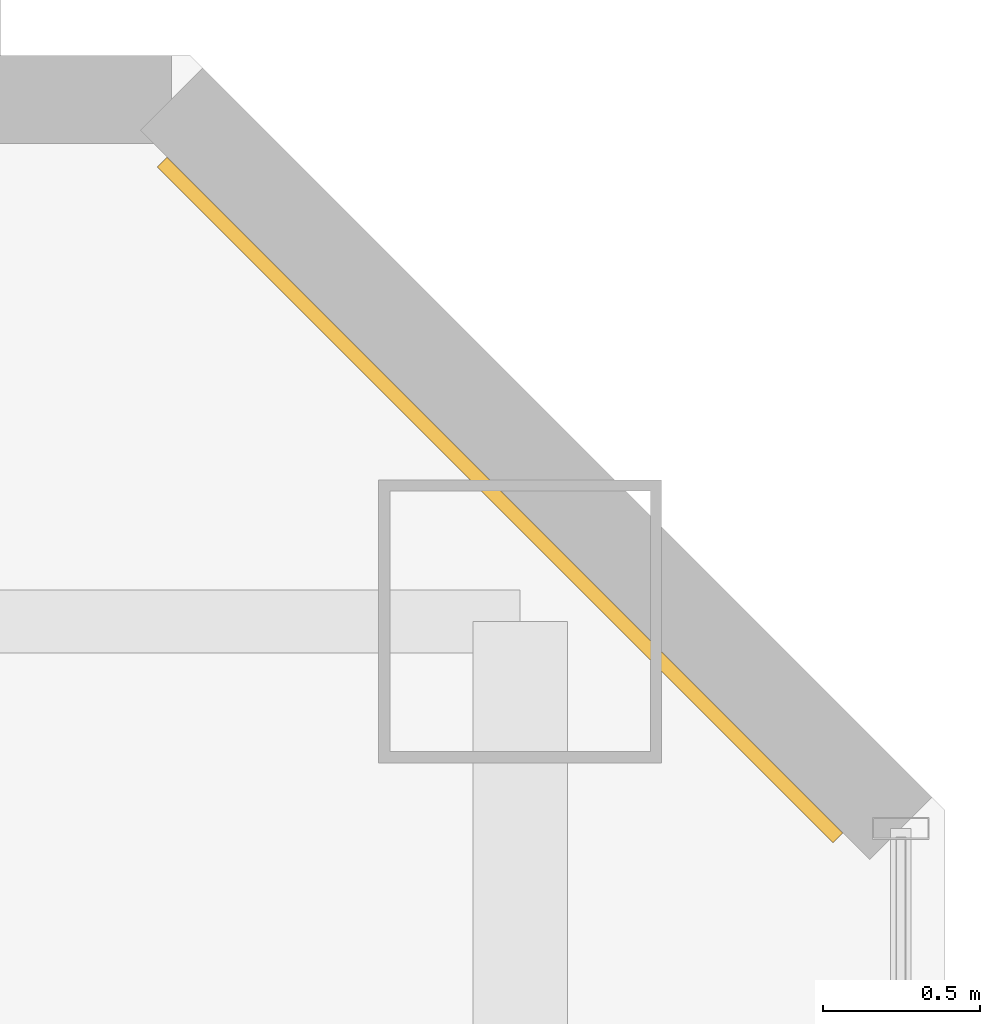
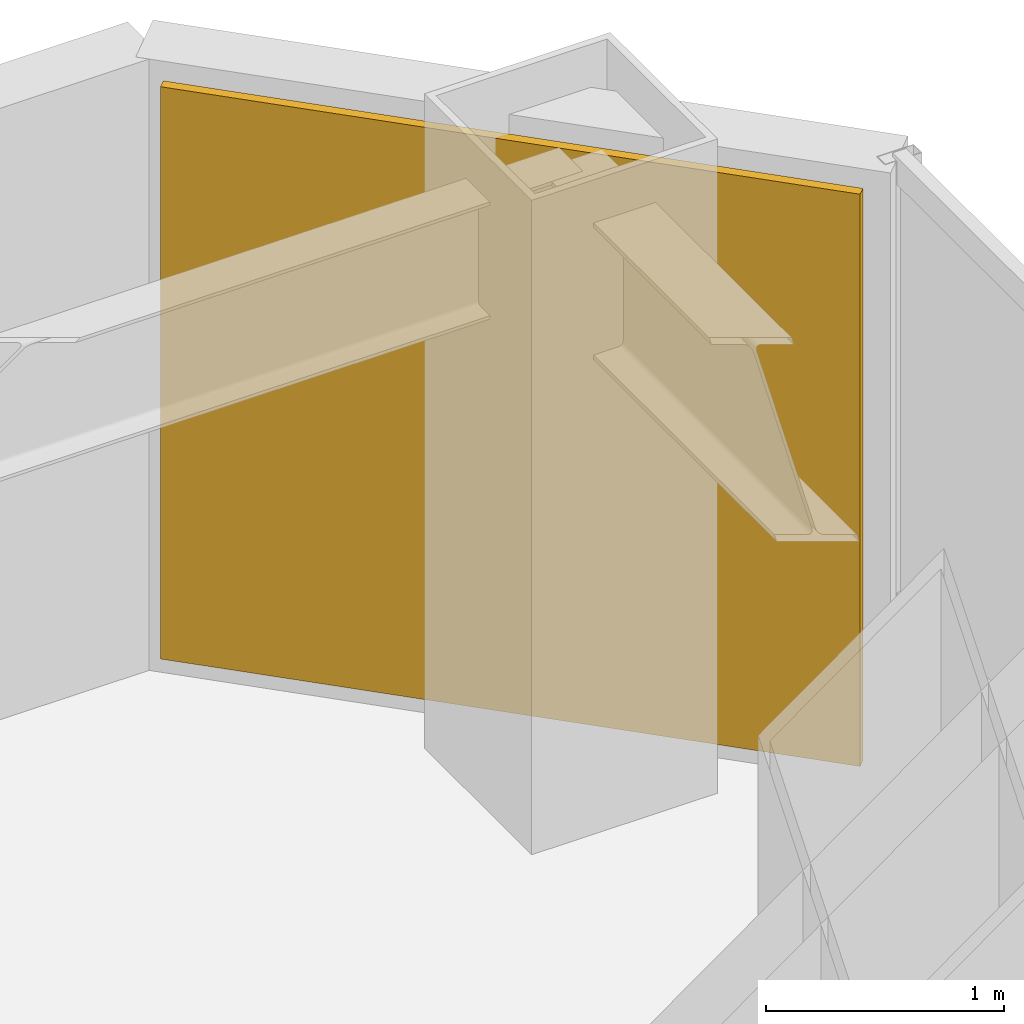
# One storey, part 31 of 31: 1 covering.
"""IFC4 building model written with IfcOpenShell, lengths in metres."""

from ifc_helpers import new_model, si_unit, direction, frame, origin, origin_2d, place, context, subcontext, project, spatial, rectangle, extrude, material, layer, layer_set, type_object, element, save


model = new_model("IFC4")

# Units and contexts
model_context = context("Model", 3, precision=1e-05, world=origin(), true_north=direction((0.0, 1.0)))
body_context = subcontext(model_context, "Body", "Model", "MODEL_VIEW")
ifc_project = project(units=[si_unit("LENGTHUNIT", "METRE"), si_unit("AREAUNIT", "SQUARE_METRE"), si_unit("VOLUMEUNIT", "CUBIC_METRE"), si_unit("PLANEANGLEUNIT", "RADIAN"), si_unit("MASSUNIT", "GRAM", prefix="KILO")], contexts=[model_context])

# Site, building, storey
site_placement = place(None, origin())
site = spatial("IfcSite", under=ifc_project, at=site_placement, CompositionType="ELEMENT")
building_placement = place(site_placement, origin())
building = spatial("IfcBuilding", under=site, at=building_placement, Name="Hatsunagi Terrace Concourse", CompositionType="ELEMENT")
storey_placement = place(building_placement, frame((0.0, 0.0, 77.949951171875)))
storey = spatial("IfcBuildingStorey", under=building, at=storey_placement, Name="L20", CompositionType="ELEMENT", Elevation=77.949951171875)

# Covering
ifc_material = material(Name="Unglazed Warm Terracotta Rainscreen Tile", Category="masonry")
ifc_layer = layer(ifc_material, 0.044921875)
ifc_layer_set = layer_set([ifc_layer], Name="TerracottaRainscreenCladding_45")
covering_type = type_object("IfcCoveringType", Name="TerracottaRainscreenCladding_45", PredefinedType="CLADDING", material=ifc_layer_set)
covering_placement = place(storey_placement, frame((43.5859375, 48.986083984375, 0.10009765625), z_axis=(0.0, 0.0, 1.0), x_axis=(0.707106781187, -0.707106781187, 0.0)))
element("IfcCovering", 1, at=covering_placement, inside=storey, type_object=covering_type, Name="Terracotta Rainscreen Cladding L20-12", PredefinedType="CLADDING", context=body_context, shape_type="SweptSolid", body=[
    extrude(rectangle(XDim=3.0380859375, YDim=0.044921875, at=origin_2d()), origin(), (0.0, 0.0, 1.0), 2.929931640625),
])

save(model, "model.ifc")
